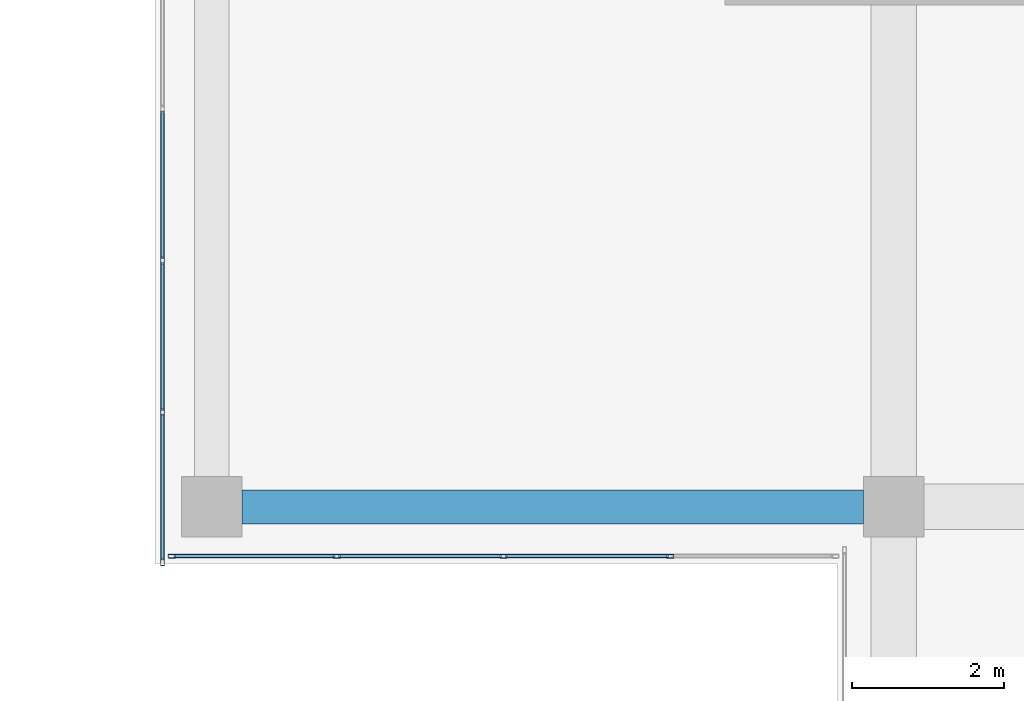
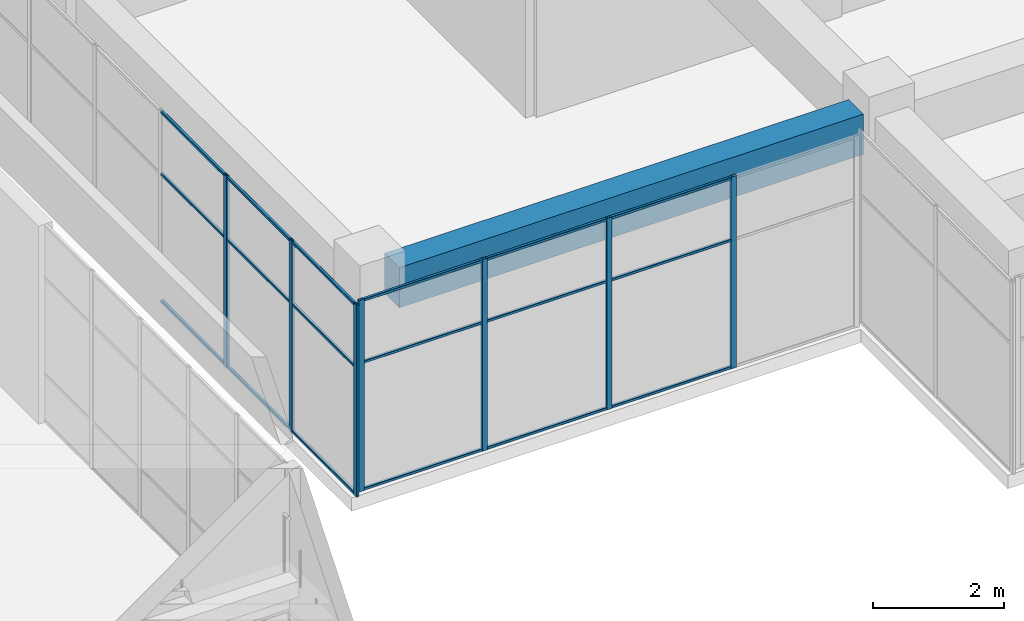
# One storey, part 23 of 72: 25 members, 1 beam, 2 elements without a shape of their own.
"""IFC4 building model written with IfcOpenShell, lengths in metres."""

from ifc_helpers import new_model, si_unit, direction, frame, origin, origin_2d, place, context, subcontext, project, spatial, rectangle, hollow_rectangle, extrude, material, layer, layer_set, material_profile, profile_set, type_object, element, aggregate, save


model = new_model("IFC4")

# Units and contexts
model_context = context("Model", 3, precision=1e-05, world=origin(), true_north=direction((0.0, 1.0)))
body_context = subcontext(model_context, "Body", "Model", "MODEL_VIEW")
ifc_project = project(units=[si_unit("LENGTHUNIT", "METRE"), si_unit("AREAUNIT", "SQUARE_METRE"), si_unit("VOLUMEUNIT", "CUBIC_METRE"), si_unit("PLANEANGLEUNIT", "RADIAN"), si_unit("MASSUNIT", "GRAM", prefix="KILO")], contexts=[model_context])

# Site, building, storey
site_placement = place(None, origin())
site = spatial("IfcSite", under=ifc_project, at=site_placement, CompositionType="ELEMENT")
building_placement = place(site_placement, origin())
building = spatial("IfcBuilding", under=site, at=building_placement, Name="Tuart Plaza Theatre", CompositionType="ELEMENT")
storey_placement = place(building_placement, frame((0.0, 0.0, 13.5)))
storey = spatial("IfcBuildingStorey", under=building, at=storey_placement, Name="L03", CompositionType="ELEMENT", Elevation=13.5)

# Beam
ifc_material_1 = material(Name="Concrete N40 (40 MPa)", Category="concrete")
ifc_material_profile_1 = material_profile(ifc_material_1, rectangle(XDim=0.449951171875, YDim=0.75, at=origin_2d()), Name="BEAM 450x750 Concrete N40 (40 MPa)")
ifc_profile_set_1 = profile_set([ifc_material_profile_1], Name="Concrete N40 (40 MPa)")
beam_type = type_object("IfcBeamType", Name="BEAM 450x750 Concrete N40 (40 MPa)", PredefinedType="BEAM", material=ifc_profile_set_1)
beam_placement = place(storey_placement, frame((114.39990234375, 56.0, 3.205078125), z_axis=(1.0, 0.0, 0.0), x_axis=(0.0, 1.0, 0.0)))
element("IfcBeam", 1, at=beam_placement, inside=storey, type_object=beam_type, Name="RB163", PredefinedType="BEAM", context=body_context, shape_type="SweptSolid", body=[
    extrude(rectangle(XDim=0.449951171875, YDim=0.75, at=origin_2d()), origin(), (0.0, 0.0, 1.0), 8.2001953125),
])

# Curtain wall, members
ifc_material_2 = material(Name="Aluminium and glass", Category="aluminium")
ifc_layer = layer(ifc_material_2, 0.10009765625)
ifc_layer_set = layer_set([ifc_layer], Name="CURTAIN WALL 2000 module")
curtain_wall_type = type_object("IfcCurtainWallType", Name="CURTAIN WALL 2000 module", PredefinedType="NOTDEFINED", material=ifc_layer_set)
curtain_wall_1_placement = place(storey_placement, origin())
curtain_wall_1 = element("IfcCurtainWall", 2, at=curtain_wall_1_placement, inside=storey, type_object=curtain_wall_type, Name="CW73", PredefinedType="NOTDEFINED")
ifc_material_3 = material(Name="Aluminium 6063-T5", Category="aluminium")
ifc_material_profile_2 = material_profile(ifc_material_3, hollow_rectangle(XDim=0.050048828125, YDim=0.10009765625, WallThickness=0.00390625, InnerFilletRadius=0.00390625, OuterFilletRadius=0.008056640625, at=origin_2d()), Name="RHS 100x50x4")
ifc_profile_set_2 = profile_set([ifc_material_profile_2], Name="Aluminium 6063-T5")
member_type_1 = type_object("IfcMemberType", Name="MULLION RHS 100x50x4", PredefinedType="MULLION", material=ifc_profile_set_2)
member_1_placement = place(storey_placement, frame((113.35009765625, 59.25, 0.0), z_axis=(0.0, 0.0, 1.0), x_axis=(1.0, 0.0, 0.0)))
member_1 = element("IfcMember", 3, at=member_1_placement, type_object=member_type_1, Name="CW73 mullion 20", PredefinedType="MULLION", context=body_context, shape_type="SweptSolid", body=[
    extrude(hollow_rectangle(XDim=0.050048828125, YDim=0.10009765625, WallThickness=0.00390625, InnerFilletRadius=0.00390625, OuterFilletRadius=0.008056640625, at=origin_2d()), origin(), (0.0, 0.0, 1.0), 3.580078125),
])
member_2_placement = place(storey_placement, frame((113.35009765625, 57.25, 0.0), z_axis=(0.0, 0.0, 1.0), x_axis=(1.0, 0.0, 0.0)))
member_2 = element("IfcMember", 4, at=member_2_placement, type_object=member_type_1, Name="CW73 mullion 21", PredefinedType="MULLION", context=body_context, shape_type="SweptSolid", body=[
    extrude(hollow_rectangle(XDim=0.050048828125, YDim=0.10009765625, WallThickness=0.00390625, InnerFilletRadius=0.00390625, OuterFilletRadius=0.008056640625, at=origin_2d()), origin(), (0.0, 0.0, 1.0), 3.580078125),
])
member_3_placement = place(storey_placement, frame((113.35009765625, 55.27490234375, 0.0), z_axis=(0.0, 0.0, 1.0), x_axis=(1.0, 0.0, 0.0)))
member_3 = element("IfcMember", 5, at=member_3_placement, type_object=member_type_1, Name="CW73 mullion 22", PredefinedType="MULLION", context=body_context, shape_type="SweptSolid", body=[
    extrude(hollow_rectangle(XDim=0.050048828125, YDim=0.10009765625, WallThickness=0.00390625, InnerFilletRadius=0.00390625, OuterFilletRadius=0.008056640625, at=origin_2d()), origin(), (0.0, 0.0, 1.0), 3.580078125),
])

curtain_wall_2_placement = place(storey_placement, origin())
curtain_wall_2 = element("IfcCurtainWall", 6, at=curtain_wall_2_placement, inside=storey, type_object=curtain_wall_type, Name="CW74", PredefinedType="NOTDEFINED")
member_4_placement = place(storey_placement, frame((113.47509765625, 55.35009765625, 0.0), z_axis=(0.0, 0.0, 1.0), x_axis=(0.0, 1.0, 0.0)))
member_4 = element("IfcMember", 7, at=member_4_placement, type_object=member_type_1, Name="CW74 mullion 1", PredefinedType="MULLION", context=body_context, shape_type="SweptSolid", body=[
    extrude(hollow_rectangle(XDim=0.050048828125, YDim=0.10009765625, WallThickness=0.00390625, InnerFilletRadius=0.00390625, OuterFilletRadius=0.008056640625, at=origin_2d()), origin(), (0.0, 0.0, 1.0), 3.580078125),
])
member_5_placement = place(storey_placement, frame((115.64990234375, 55.35009765625, 0.0), z_axis=(0.0, 0.0, 1.0), x_axis=(0.0, 1.0, 0.0)))
member_5 = element("IfcMember", 8, at=member_5_placement, type_object=member_type_1, Name="CW74 mullion 2", PredefinedType="MULLION", context=body_context, shape_type="SweptSolid", body=[
    extrude(hollow_rectangle(XDim=0.050048828125, YDim=0.10009765625, WallThickness=0.00390625, InnerFilletRadius=0.00390625, OuterFilletRadius=0.008056640625, at=origin_2d()), origin(), (0.0, 0.0, 1.0), 3.580078125),
])
member_6_placement = place(storey_placement, frame((117.85009765625, 55.35009765625, 0.0), z_axis=(0.0, 0.0, 1.0), x_axis=(0.0, 1.0, 0.0)))
member_6 = element("IfcMember", 9, at=member_6_placement, type_object=member_type_1, Name="CW74 mullion 3", PredefinedType="MULLION", context=body_context, shape_type="SweptSolid", body=[
    extrude(hollow_rectangle(XDim=0.050048828125, YDim=0.10009765625, WallThickness=0.00390625, InnerFilletRadius=0.00390625, OuterFilletRadius=0.008056640625, at=origin_2d()), origin(), (0.0, 0.0, 1.0), 3.580078125),
])
member_7_placement = place(storey_placement, frame((120.050048828125, 55.35009765625, 0.0), z_axis=(0.0, 0.0, 1.0), x_axis=(0.0, 1.0, 0.0)))
member_7 = element("IfcMember", 10, at=member_7_placement, type_object=member_type_1, Name="CW74 mullion 4", PredefinedType="MULLION", context=body_context, shape_type="SweptSolid", body=[
    extrude(hollow_rectangle(XDim=0.050048828125, YDim=0.10009765625, WallThickness=0.00390625, InnerFilletRadius=0.00390625, OuterFilletRadius=0.008056640625, at=origin_2d()), origin(), (0.0, 0.0, 1.0), 3.580078125),
])

# Member
ifc_material_4 = material(Name="Aluminium 6063-T5", Category="aluminium")
ifc_material_profile_3 = material_profile(ifc_material_4, hollow_rectangle(XDim=0.050048828125, YDim=0.050048828125, WallThickness=0.00390625, InnerFilletRadius=0.00390625, OuterFilletRadius=0.008056640625, at=origin_2d()), Name="RHS 50x50x4")
ifc_profile_set_3 = profile_set([ifc_material_profile_3], Name="Aluminium 6063-T5")
member_type_2 = type_object("IfcMemberType", Name="TRANSOM RHS 50x50x4", PredefinedType="USERDEFINED", material=ifc_profile_set_3)
member_8_placement = place(storey_placement, frame((113.35009765625, 61.22509765625, 0.02490234375), z_axis=(0.0, -1.0, 0.0), x_axis=(1.0, 0.0, 0.0)))
member_8 = element("IfcMember", 11, at=member_8_placement, type_object=member_type_2, Name="CW73 transom 19.1", ObjectType="TRANSOM", PredefinedType="USERDEFINED", context=body_context, shape_type="SweptSolid", body=[
    extrude(hollow_rectangle(XDim=0.050048828125, YDim=0.050048828125, WallThickness=0.00390625, InnerFilletRadius=0.00390625, OuterFilletRadius=0.008056640625, at=origin_2d()), origin(), (0.0, 0.0, 1.0), 1.9501953125),
])

member_9_placement = place(storey_placement, frame((113.35009765625, 61.22509765625, 2.39990234375), z_axis=(0.0, -1.0, 0.0), x_axis=(1.0, 0.0, 0.0)))
member_9 = element("IfcMember", 12, at=member_9_placement, type_object=member_type_2, Name="CW73 transom 19.2", ObjectType="TRANSOM", PredefinedType="USERDEFINED", context=body_context, shape_type="SweptSolid", body=[
    extrude(hollow_rectangle(XDim=0.050048828125, YDim=0.050048828125, WallThickness=0.00390625, InnerFilletRadius=0.00390625, OuterFilletRadius=0.008056640625, at=origin_2d()), origin(), (0.0, 0.0, 1.0), 1.9501953125),
])

member_10_placement = place(storey_placement, frame((113.35009765625, 61.22509765625, 3.554931640625), z_axis=(0.0, -1.0, 0.0), x_axis=(1.0, 0.0, 0.0)))
member_10 = element("IfcMember", 13, at=member_10_placement, type_object=member_type_2, Name="CW73 transom 19.3", ObjectType="TRANSOM", PredefinedType="USERDEFINED", context=body_context, shape_type="SweptSolid", body=[
    extrude(hollow_rectangle(XDim=0.050048828125, YDim=0.050048828125, WallThickness=0.00390625, InnerFilletRadius=0.00390625, OuterFilletRadius=0.008056640625, at=origin_2d()), origin(), (0.0, 0.0, 1.0), 1.9501953125),
])

member_11_placement = place(storey_placement, frame((113.35009765625, 59.22509765625, 0.02490234375), z_axis=(0.0, -1.0, 0.0), x_axis=(1.0, 0.0, 0.0)))
member_11 = element("IfcMember", 14, at=member_11_placement, type_object=member_type_2, Name="CW73 transom 20.1", ObjectType="TRANSOM", PredefinedType="USERDEFINED", context=body_context, shape_type="SweptSolid", body=[
    extrude(hollow_rectangle(XDim=0.050048828125, YDim=0.050048828125, WallThickness=0.00390625, InnerFilletRadius=0.00390625, OuterFilletRadius=0.008056640625, at=origin_2d()), origin(), (0.0, 0.0, 1.0), 1.9501953125),
])

member_12_placement = place(storey_placement, frame((113.35009765625, 59.22509765625, 2.39990234375), z_axis=(0.0, -1.0, 0.0), x_axis=(1.0, 0.0, 0.0)))
member_12 = element("IfcMember", 15, at=member_12_placement, type_object=member_type_2, Name="CW73 transom 20.2", ObjectType="TRANSOM", PredefinedType="USERDEFINED", context=body_context, shape_type="SweptSolid", body=[
    extrude(hollow_rectangle(XDim=0.050048828125, YDim=0.050048828125, WallThickness=0.00390625, InnerFilletRadius=0.00390625, OuterFilletRadius=0.008056640625, at=origin_2d()), origin(), (0.0, 0.0, 1.0), 1.9501953125),
])

member_13_placement = place(storey_placement, frame((113.35009765625, 59.22509765625, 3.554931640625), z_axis=(0.0, -1.0, 0.0), x_axis=(1.0, 0.0, 0.0)))
member_13 = element("IfcMember", 16, at=member_13_placement, type_object=member_type_2, Name="CW73 transom 20.3", ObjectType="TRANSOM", PredefinedType="USERDEFINED", context=body_context, shape_type="SweptSolid", body=[
    extrude(hollow_rectangle(XDim=0.050048828125, YDim=0.050048828125, WallThickness=0.00390625, InnerFilletRadius=0.00390625, OuterFilletRadius=0.008056640625, at=origin_2d()), origin(), (0.0, 0.0, 1.0), 1.9501953125),
])

member_14_placement = place(storey_placement, frame((113.35009765625, 57.22509765625, 0.02490234375), z_axis=(0.0, -1.0, 0.0), x_axis=(1.0, 0.0, 0.0)))
member_14 = element("IfcMember", 17, at=member_14_placement, type_object=member_type_2, Name="CW73 transom 21.1", ObjectType="TRANSOM", PredefinedType="USERDEFINED", context=body_context, shape_type="SweptSolid", body=[
    extrude(hollow_rectangle(XDim=0.050048828125, YDim=0.050048828125, WallThickness=0.00390625, InnerFilletRadius=0.00390625, OuterFilletRadius=0.008056640625, at=origin_2d()), origin(), (0.0, 0.0, 1.0), 1.925048828125),
])

member_15_placement = place(storey_placement, frame((113.35009765625, 57.22509765625, 2.39990234375), z_axis=(0.0, -1.0, 0.0), x_axis=(1.0, 0.0, 0.0)))
member_15 = element("IfcMember", 18, at=member_15_placement, type_object=member_type_2, Name="CW73 transom 21.2", ObjectType="TRANSOM", PredefinedType="USERDEFINED", context=body_context, shape_type="SweptSolid", body=[
    extrude(hollow_rectangle(XDim=0.050048828125, YDim=0.050048828125, WallThickness=0.00390625, InnerFilletRadius=0.00390625, OuterFilletRadius=0.008056640625, at=origin_2d()), origin(), (0.0, 0.0, 1.0), 1.925048828125),
])

member_16_placement = place(storey_placement, frame((113.35009765625, 57.22509765625, 3.554931640625), z_axis=(0.0, -1.0, 0.0), x_axis=(1.0, 0.0, 0.0)))
member_16 = element("IfcMember", 19, at=member_16_placement, type_object=member_type_2, Name="CW73 transom 21.3", ObjectType="TRANSOM", PredefinedType="USERDEFINED", context=body_context, shape_type="SweptSolid", body=[
    extrude(hollow_rectangle(XDim=0.050048828125, YDim=0.050048828125, WallThickness=0.00390625, InnerFilletRadius=0.00390625, OuterFilletRadius=0.008056640625, at=origin_2d()), origin(), (0.0, 0.0, 1.0), 1.925048828125),
])

aggregate(curtain_wall_1, [member_1, member_2, member_3, member_8, member_9, member_10, member_11, member_12, member_13, member_14, member_15, member_16])

member_17_placement = place(storey_placement, frame((113.5, 55.35009765625, 0.02490234375), z_axis=(1.0, 0.0, 0.0), x_axis=(0.0, 1.0, 0.0)))
member_17 = element("IfcMember", 20, at=member_17_placement, type_object=member_type_2, Name="CW74 transom 1.1", ObjectType="TRANSOM", PredefinedType="USERDEFINED", context=body_context, shape_type="SweptSolid", body=[
    extrude(hollow_rectangle(XDim=0.050048828125, YDim=0.050048828125, WallThickness=0.00390625, InnerFilletRadius=0.00390625, OuterFilletRadius=0.008056640625, at=origin_2d()), origin(), (0.0, 0.0, 1.0), 2.125),
])

member_18_placement = place(storey_placement, frame((113.5, 55.35009765625, 2.39990234375), z_axis=(1.0, 0.0, 0.0), x_axis=(0.0, 1.0, 0.0)))
member_18 = element("IfcMember", 21, at=member_18_placement, type_object=member_type_2, Name="CW74 transom 1.2", ObjectType="TRANSOM", PredefinedType="USERDEFINED", context=body_context, shape_type="SweptSolid", body=[
    extrude(hollow_rectangle(XDim=0.050048828125, YDim=0.050048828125, WallThickness=0.00390625, InnerFilletRadius=0.00390625, OuterFilletRadius=0.008056640625, at=origin_2d()), origin(), (0.0, 0.0, 1.0), 2.125),
])

member_19_placement = place(storey_placement, frame((113.5, 55.35009765625, 3.554931640625), z_axis=(1.0, 0.0, 0.0), x_axis=(0.0, 1.0, 0.0)))
member_19 = element("IfcMember", 22, at=member_19_placement, type_object=member_type_2, Name="CW74 transom 1.3", ObjectType="TRANSOM", PredefinedType="USERDEFINED", context=body_context, shape_type="SweptSolid", body=[
    extrude(hollow_rectangle(XDim=0.050048828125, YDim=0.050048828125, WallThickness=0.00390625, InnerFilletRadius=0.00390625, OuterFilletRadius=0.008056640625, at=origin_2d()), origin(), (0.0, 0.0, 1.0), 2.125),
])

member_20_placement = place(storey_placement, frame((115.675048828125, 55.35009765625, 0.02490234375), z_axis=(1.0, 0.0, 0.0), x_axis=(0.0, 1.0, 0.0)))
member_20 = element("IfcMember", 23, at=member_20_placement, type_object=member_type_2, Name="CW74 transom 2.1", ObjectType="TRANSOM", PredefinedType="USERDEFINED", context=body_context, shape_type="SweptSolid", body=[
    extrude(hollow_rectangle(XDim=0.050048828125, YDim=0.050048828125, WallThickness=0.00390625, InnerFilletRadius=0.00390625, OuterFilletRadius=0.008056640625, at=origin_2d()), origin(), (0.0, 0.0, 1.0), 2.14990234375),
])

member_21_placement = place(storey_placement, frame((115.675048828125, 55.35009765625, 2.39990234375), z_axis=(1.0, 0.0, 0.0), x_axis=(0.0, 1.0, 0.0)))
member_21 = element("IfcMember", 24, at=member_21_placement, type_object=member_type_2, Name="CW74 transom 2.2", ObjectType="TRANSOM", PredefinedType="USERDEFINED", context=body_context, shape_type="SweptSolid", body=[
    extrude(hollow_rectangle(XDim=0.050048828125, YDim=0.050048828125, WallThickness=0.00390625, InnerFilletRadius=0.00390625, OuterFilletRadius=0.008056640625, at=origin_2d()), origin(), (0.0, 0.0, 1.0), 2.14990234375),
])

member_22_placement = place(storey_placement, frame((115.675048828125, 55.35009765625, 3.554931640625), z_axis=(1.0, 0.0, 0.0), x_axis=(0.0, 1.0, 0.0)))
member_22 = element("IfcMember", 25, at=member_22_placement, type_object=member_type_2, Name="CW74 transom 2.3", ObjectType="TRANSOM", PredefinedType="USERDEFINED", context=body_context, shape_type="SweptSolid", body=[
    extrude(hollow_rectangle(XDim=0.050048828125, YDim=0.050048828125, WallThickness=0.00390625, InnerFilletRadius=0.00390625, OuterFilletRadius=0.008056640625, at=origin_2d()), origin(), (0.0, 0.0, 1.0), 2.14990234375),
])

member_23_placement = place(storey_placement, frame((117.875, 55.35009765625, 0.02490234375), z_axis=(1.0, 0.0, 0.0), x_axis=(0.0, 1.0, 0.0)))
member_23 = element("IfcMember", 26, at=member_23_placement, type_object=member_type_2, Name="CW74 transom 3.1", ObjectType="TRANSOM", PredefinedType="USERDEFINED", context=body_context, shape_type="SweptSolid", body=[
    extrude(hollow_rectangle(XDim=0.050048828125, YDim=0.050048828125, WallThickness=0.00390625, InnerFilletRadius=0.00390625, OuterFilletRadius=0.008056640625, at=origin_2d()), origin(), (0.0, 0.0, 1.0), 2.14990234375),
])

member_24_placement = place(storey_placement, frame((117.875, 55.35009765625, 2.39990234375), z_axis=(1.0, 0.0, 0.0), x_axis=(0.0, 1.0, 0.0)))
member_24 = element("IfcMember", 27, at=member_24_placement, type_object=member_type_2, Name="CW74 transom 3.2", ObjectType="TRANSOM", PredefinedType="USERDEFINED", context=body_context, shape_type="SweptSolid", body=[
    extrude(hollow_rectangle(XDim=0.050048828125, YDim=0.050048828125, WallThickness=0.00390625, InnerFilletRadius=0.00390625, OuterFilletRadius=0.008056640625, at=origin_2d()), origin(), (0.0, 0.0, 1.0), 2.14990234375),
])

member_25_placement = place(storey_placement, frame((117.875, 55.35009765625, 3.554931640625), z_axis=(1.0, 0.0, 0.0), x_axis=(0.0, 1.0, 0.0)))
member_25 = element("IfcMember", 28, at=member_25_placement, type_object=member_type_2, Name="CW74 transom 3.3", ObjectType="TRANSOM", PredefinedType="USERDEFINED", context=body_context, shape_type="SweptSolid", body=[
    extrude(hollow_rectangle(XDim=0.050048828125, YDim=0.050048828125, WallThickness=0.00390625, InnerFilletRadius=0.00390625, OuterFilletRadius=0.008056640625, at=origin_2d()), origin(), (0.0, 0.0, 1.0), 2.14990234375),
])

aggregate(curtain_wall_2, [member_4, member_5, member_6, member_7, member_17, member_18, member_19, member_20, member_21, member_22, member_23, member_24, member_25])

save(model, "model.ifc")
